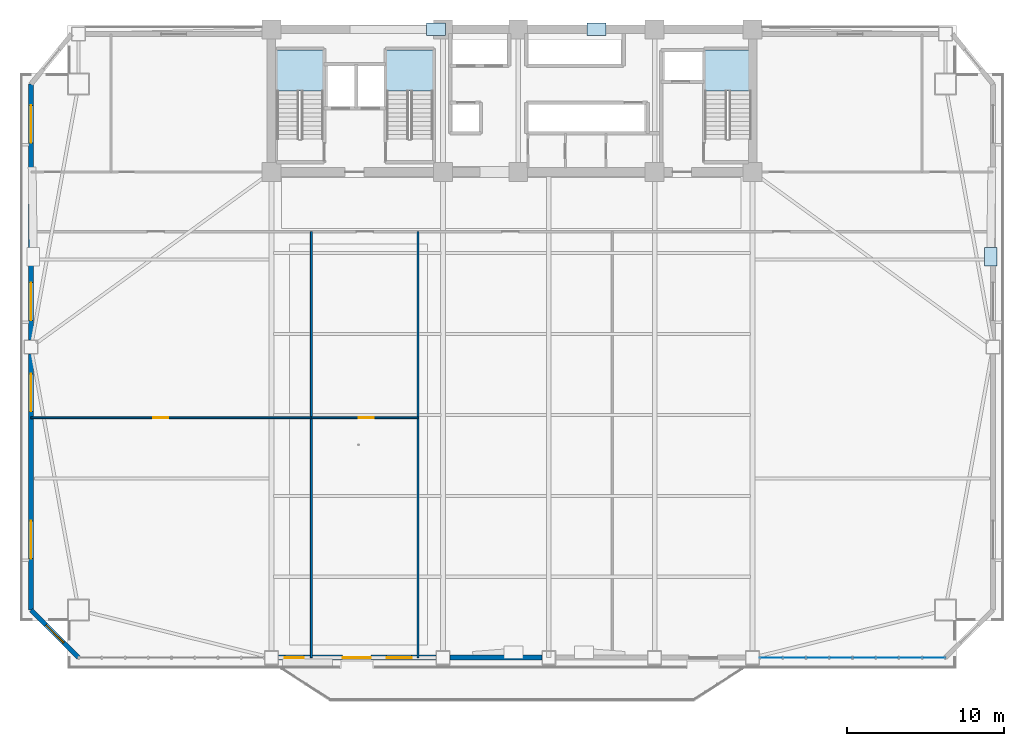
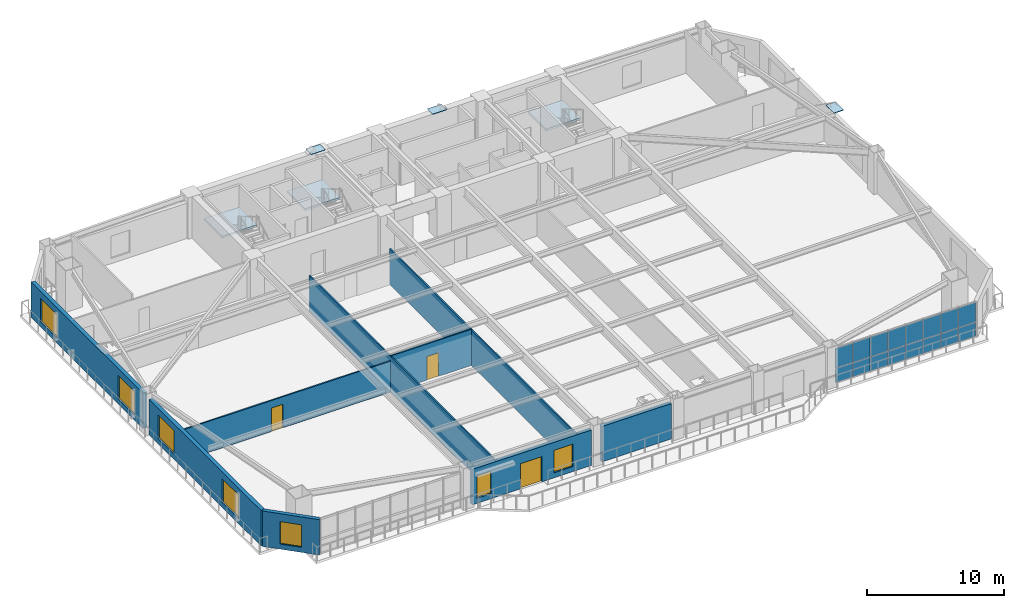
# One storey, part 7 of 15: 19 plates, 9 walls, 7 windows, 3 doors, 3 slabs, 10 openings, 4 elements without a shape of their own.
"""IFC4 building model written with IfcOpenShell, lengths in metres."""

from ifc_helpers import new_model, si_unit, direction, frame, frame_2d, origin, origin_2d, place, context, subcontext, project, spatial, polyline, rectangle, outline, extrude, source, transform, mapped, material, layer, layer_set, type_object, element, fill, aggregate, save


model = new_model("IFC4")

# Units and contexts
model_context = context("Model", 3, precision=1e-05, world=origin(), true_north=direction((0.0, 1.0)))
body_context = subcontext(model_context, "Body", "Model", "MODEL_VIEW")
ifc_project = project(units=[si_unit("LENGTHUNIT", "METRE"), si_unit("AREAUNIT", "SQUARE_METRE"), si_unit("VOLUMEUNIT", "CUBIC_METRE"), si_unit("PLANEANGLEUNIT", "RADIAN"), si_unit("MASSUNIT", "GRAM", prefix="KILO")], contexts=[model_context])

# Site, building, storey
site_placement = place(None, origin())
site = spatial("IfcSite", under=ifc_project, at=site_placement, CompositionType="ELEMENT")
building_placement = place(site_placement, origin())
building = spatial("IfcBuilding", under=site, at=building_placement, Name="Giltprow Tower", CompositionType="ELEMENT")
storey_placement = place(building_placement, frame((0.0, 0.0, 103.60009765625)))
storey = spatial("IfcBuildingStorey", under=building, at=storey_placement, Name="L25", CompositionType="ELEMENT", Elevation=103.60009765625)

# Stair, slab
ifc_material_1 = material(Name="Concrete C40", Category="concrete")
stair_type_1 = type_object("IfcStairType", Name="STR-ST-1", PredefinedType="HALF_TURN_STAIR", material=ifc_material_1)
stair_1_placement = place(storey_placement, origin())
stair_1 = element("IfcStair", 1, at=stair_1_placement, inside=storey, type_object=stair_type_1, Name="L25 Core Exit Stair ST-1", PredefinedType="HALF_TURN_STAIR")
ifc_layer_1 = layer(ifc_material_1, 0.179931640625, Name="Concrete C40")
ifc_layer_set_1 = layer_set([ifc_layer_1], Name="Concrete C40")
slab_type_1 = type_object("IfcSlabType", Name="SLD-ST-1", PredefinedType="LANDING", material=ifc_layer_set_1)
slab_1_placement = place(storey_placement, frame((0.0, 0.0, 1.77001953125)))
slab_1 = element("IfcSlab", 2, at=slab_1_placement, type_object=slab_type_1, Name="ST-1 landing 1", PredefinedType="LANDING", context=body_context, shape_type="SweptSolid", body=[
    extrude(outline(polyline([(23.159912109375, 42.6298828125), (23.159912109375, 45.25), (20.199951171875, 45.25), (20.199951171875, 42.6298828125), (23.159912109375, 42.6298828125)])), origin(), (0.0, 0.0, 1.0), 0.179931640625),
])
aggregate(stair_1, [slab_1])

stair_type_2 = type_object("IfcStairType", Name="STR-ST-2", PredefinedType="HALF_TURN_STAIR", material=ifc_material_1)
stair_2_placement = place(storey_placement, origin())
stair_2 = element("IfcStair", 3, at=stair_2_placement, inside=storey, type_object=stair_type_2, Name="L25 Core Exit Stair ST-2", PredefinedType="HALF_TURN_STAIR")
ifc_layer_2 = layer(ifc_material_1, 0.18798828125, Name="Concrete C40")
ifc_layer_set_2 = layer_set([ifc_layer_2], Name="Concrete C40")
slab_type_2 = type_object("IfcSlabType", Name="SLD-ST-2", PredefinedType="LANDING", material=ifc_layer_set_2)
slab_2_placement = place(storey_placement, frame((0.0, 0.0, 1.761962890625)))
slab_2 = element("IfcSlab", 4, at=slab_2_placement, type_object=slab_type_2, Name="ST-2 landing 1", PredefinedType="LANDING", context=body_context, shape_type="SweptSolid", body=[
    extrude(outline(polyline([(30.159912109375, 42.6298828125), (30.159912109375, 45.25), (27.199951171875, 45.25), (27.199951171875, 42.6298828125), (30.159912109375, 42.6298828125)])), origin(), (0.0, 0.0, 1.0), 0.18798828125),
])
aggregate(stair_2, [slab_2])

stair_type_3 = type_object("IfcStairType", Name="STR-ST-3", PredefinedType="HALF_TURN_STAIR", material=ifc_material_1)
stair_3_placement = place(storey_placement, origin())
stair_3 = element("IfcStair", 5, at=stair_3_placement, inside=storey, type_object=stair_type_3, Name="L25 Core Exit Stair ST-3", PredefinedType="HALF_TURN_STAIR")
ifc_layer_3 = layer(ifc_material_1, 0.196044921875, Name="Concrete C40")
ifc_layer_set_3 = layer_set([ifc_layer_3], Name="Concrete C40")
slab_type_3 = type_object("IfcSlabType", Name="SLD-ST-3", PredefinedType="LANDING", material=ifc_layer_set_3)
slab_3_placement = place(storey_placement, frame((0.0, 0.0, 1.75390625)))
slab_3 = element("IfcSlab", 6, at=slab_3_placement, type_object=slab_type_3, Name="ST-3 landing 1", PredefinedType="LANDING", context=body_context, shape_type="SweptSolid", body=[
    extrude(outline(polyline([(50.4599609375, 42.6298828125), (50.4599609375, 45.25), (47.5, 45.25), (47.5, 42.6298828125), (50.4599609375, 42.6298828125)])), origin(), (0.0, 0.0, 1.0), 0.196044921875),
])
aggregate(stair_3, [slab_3])

# Plates
ifc_material_2 = material(Name="Structural steel Q420GJC", Category="steel")
plate_type_1 = type_object("IfcPlateType", Name="PLT-CAP-SEAL", PredefinedType="USERDEFINED", material=ifc_material_2)
shared_shape_1 = source(origin(), body_context, "Body", "SweptSolid", [
    extrude(rectangle(XDim=1.199951171875, YDim=0.800048828125, at=origin_2d()), origin(), (0.0, 0.0, 1.0), 0.034912109375),
])
for number, where, z_axis, x_axis, name in (
    (7, (30.35009765625, 46.550048828125, 3.74267578125), (0.0, 0.0, 1.0), (1.0, 0.0, 0.0), "Mega-Brace Node L25-N-LB"),
    (8, (40.5830078125, 46.550048828125, 3.74267578125), (0.0, 0.0, 1.0), (1.0, 0.0, 0.0), "Mega-Brace Node L25-N-RB"),
    (9, (65.73388671875, 32.049072265625, 3.88232421875), (0.0, 0.0, 1.0), (0.0, 1.0, 0.0), "Mega-Brace Node L25-E-RB"),
):
    element("IfcPlate", number, at=place(storey_placement, frame(where, z_axis=z_axis, x_axis=x_axis)), inside=storey, type_object=plate_type_1, Name=name, ObjectType="SPLICE", PredefinedType="USERDEFINED", context=body_context, shape_type="MappedRepresentation", body=[
        mapped(shared_shape_1, transform((0.0, 0.0, 0.0), x_axis=(1.0, 0.0, 0.0), y_axis=(0.0, 1.0, 0.0), z_axis=(0.0, 0.0, 1.0), scale=1.0)),
    ])

# Curtain wall, plates
ifc_material_3 = material(Name="Anodized bronze", Category="metal")
ifc_layer_4 = layer(ifc_material_3, 0.179931640625, Name="Anodized bronze")
ifc_layer_set_4 = layer_set([ifc_layer_4], Name="Anodized bronze")
curtain_wall_type = type_object("IfcCurtainWallType", Name="CW-OFF-RECESSED", PredefinedType="NOTDEFINED", material=ifc_layer_set_4)
curtain_wall_placement = place(storey_placement, origin())
curtain_wall = element("IfcCurtainWall", 10, at=curtain_wall_placement, inside=storey, type_object=curtain_wall_type, Name="L25 South Recessed Curtain Wall 6", PredefinedType="NOTDEFINED")
ifc_material_4 = material(Name="Insulated glass", Category="glass")
plate_type_2 = type_object("IfcPlateType", Name="CW-PANEL-IGU-28", PredefinedType="CURTAIN_PANEL", material=ifc_material_4)
shared_shape_2 = source(origin(), body_context, "Body", "SweptSolid", [
    extrude(rectangle(XDim=1.450927734375, YDim=0.028076171875, at=origin_2d()), origin(), (0.0, 0.0, 1.0), 1.259033203125),
])
plate_1_placement = place(storey_placement, frame((51.739990234375, 6.4619140625, 0.05419921875), z_axis=(0.0, 0.0, 1.0), x_axis=(1.0, 0.0, 0.0)))
plate_1 = element("IfcPlate", 11, at=plate_1_placement, type_object=plate_type_2, Name="L25 South Recessed Curtain Wall 6 Glazing Panel 1-1", PredefinedType="CURTAIN_PANEL", context=body_context, shape_type="MappedRepresentation", body=[
    mapped(shared_shape_2, transform((0.0, 0.0, 0.0), x_axis=(1.0, 0.0, 0.0), y_axis=(0.0, 1.0, 0.0), z_axis=(0.0, 0.0, 1.0), scale=1.0)),
])
plate_2_placement = place(storey_placement, frame((53.220947265625, 6.4619140625, 0.05419921875), z_axis=(0.0, 0.0, 1.0), x_axis=(1.0, 0.0, 0.0)))
plate_2 = element("IfcPlate", 12, at=plate_2_placement, type_object=plate_type_2, Name="L25 South Recessed Curtain Wall 6 Glazing Panel 2-1", PredefinedType="CURTAIN_PANEL", context=body_context, shape_type="MappedRepresentation", body=[
    mapped(shared_shape_2, transform((0.0, 0.0, 0.0), x_axis=(1.0, 0.0, 0.0), y_axis=(0.0, 1.0, 0.0), z_axis=(0.0, 0.0, 1.0), scale=1.0)),
])
plate_3_placement = place(storey_placement, frame((54.702880859375, 6.4619140625, 0.05419921875), z_axis=(0.0, 0.0, 1.0), x_axis=(1.0, 0.0, 0.0)))
plate_3 = element("IfcPlate", 13, at=plate_3_placement, type_object=plate_type_2, Name="L25 South Recessed Curtain Wall 6 Glazing Panel 3-1", PredefinedType="CURTAIN_PANEL", context=body_context, shape_type="MappedRepresentation", body=[
    mapped(shared_shape_2, transform((0.0, 0.0, 0.0), x_axis=(1.0, 0.0, 0.0), y_axis=(0.0, 1.0, 0.0), z_axis=(0.0, 0.0, 1.0), scale=1.0)),
])
plate_4_placement = place(storey_placement, frame((56.18408203125, 6.4619140625, 0.05419921875), z_axis=(0.0, 0.0, 1.0), x_axis=(1.0, 0.0, 0.0)))
plate_4 = element("IfcPlate", 14, at=plate_4_placement, type_object=plate_type_2, Name="L25 South Recessed Curtain Wall 6 Glazing Panel 4-1", PredefinedType="CURTAIN_PANEL", context=body_context, shape_type="MappedRepresentation", body=[
    mapped(shared_shape_2, transform((0.0, 0.0, 0.0), x_axis=(1.0, 0.0, 0.0), y_axis=(0.0, 1.0, 0.0), z_axis=(0.0, 0.0, 1.0), scale=1.0)),
])
plate_5_placement = place(storey_placement, frame((57.6640625, 6.4619140625, 0.05419921875), z_axis=(0.0, 0.0, 1.0), x_axis=(1.0, 0.0, 0.0)))
plate_5 = element("IfcPlate", 15, at=plate_5_placement, type_object=plate_type_2, Name="L25 South Recessed Curtain Wall 6 Glazing Panel 5-1", PredefinedType="CURTAIN_PANEL", context=body_context, shape_type="MappedRepresentation", body=[
    mapped(shared_shape_2, transform((0.0, 0.0, 0.0), x_axis=(1.0, 0.0, 0.0), y_axis=(0.0, 1.0, 0.0), z_axis=(0.0, 0.0, 1.0), scale=1.0)),
])
plate_6_placement = place(storey_placement, frame((59.14501953125, 6.4619140625, 0.05419921875), z_axis=(0.0, 0.0, 1.0), x_axis=(1.0, 0.0, 0.0)))
plate_6 = element("IfcPlate", 16, at=plate_6_placement, type_object=plate_type_2, Name="L25 South Recessed Curtain Wall 6 Glazing Panel 6-1", PredefinedType="CURTAIN_PANEL", context=body_context, shape_type="MappedRepresentation", body=[
    mapped(shared_shape_2, transform((0.0, 0.0, 0.0), x_axis=(1.0, 0.0, 0.0), y_axis=(0.0, 1.0, 0.0), z_axis=(0.0, 0.0, 1.0), scale=1.0)),
])
plate_7_placement = place(storey_placement, frame((60.626953125, 6.4619140625, 0.05419921875), z_axis=(0.0, 0.0, 1.0), x_axis=(1.0, 0.0, 0.0)))
plate_7 = element("IfcPlate", 17, at=plate_7_placement, type_object=plate_type_2, Name="L25 South Recessed Curtain Wall 6 Glazing Panel 7-1", PredefinedType="CURTAIN_PANEL", context=body_context, shape_type="MappedRepresentation", body=[
    mapped(shared_shape_2, transform((0.0, 0.0, 0.0), x_axis=(1.0, 0.0, 0.0), y_axis=(0.0, 1.0, 0.0), z_axis=(0.0, 0.0, 1.0), scale=1.0)),
])
plate_8_placement = place(storey_placement, frame((62.10791015625, 6.4619140625, 0.05419921875), z_axis=(0.0, 0.0, 1.0), x_axis=(1.0, 0.0, 0.0)))
plate_8 = element("IfcPlate", 18, at=plate_8_placement, type_object=plate_type_2, Name="L25 South Recessed Curtain Wall 6 Glazing Panel 8-1", PredefinedType="CURTAIN_PANEL", context=body_context, shape_type="MappedRepresentation", body=[
    mapped(shared_shape_2, transform((0.0, 0.0, 0.0), x_axis=(1.0, 0.0, 0.0), y_axis=(0.0, 1.0, 0.0), z_axis=(0.0, 0.0, 1.0), scale=1.0)),
])
shared_shape_3 = source(origin(), body_context, "Body", "SweptSolid", [
    extrude(rectangle(XDim=1.450927734375, YDim=0.028076171875, at=origin_2d()), origin(), (0.0, 0.0, 1.0), 1.764892578125),
])
plate_9_placement = place(storey_placement, frame((51.739990234375, 6.4619140625, 1.34033203125), z_axis=(0.0, 0.0, 1.0), x_axis=(1.0, 0.0, 0.0)))
plate_9 = element("IfcPlate", 19, at=plate_9_placement, type_object=plate_type_2, Name="L25 South Recessed Curtain Wall 6 Glazing Panel 1-2", PredefinedType="CURTAIN_PANEL", context=body_context, shape_type="MappedRepresentation", body=[
    mapped(shared_shape_3, transform((0.0, 0.0, 0.0), x_axis=(1.0, 0.0, 0.0), y_axis=(0.0, 1.0, 0.0), z_axis=(0.0, 0.0, 1.0), scale=1.0)),
])
plate_10_placement = place(storey_placement, frame((53.220947265625, 6.4619140625, 1.34033203125), z_axis=(0.0, 0.0, 1.0), x_axis=(1.0, 0.0, 0.0)))
plate_10 = element("IfcPlate", 20, at=plate_10_placement, type_object=plate_type_2, Name="L25 South Recessed Curtain Wall 6 Glazing Panel 2-2", PredefinedType="CURTAIN_PANEL", context=body_context, shape_type="MappedRepresentation", body=[
    mapped(shared_shape_3, transform((0.0, 0.0, 0.0), x_axis=(1.0, 0.0, 0.0), y_axis=(0.0, 1.0, 0.0), z_axis=(0.0, 0.0, 1.0), scale=1.0)),
])
plate_11_placement = place(storey_placement, frame((54.702880859375, 6.4619140625, 1.34033203125), z_axis=(0.0, 0.0, 1.0), x_axis=(1.0, 0.0, 0.0)))
plate_11 = element("IfcPlate", 21, at=plate_11_placement, type_object=plate_type_2, Name="L25 South Recessed Curtain Wall 6 Glazing Panel 3-2", PredefinedType="CURTAIN_PANEL", context=body_context, shape_type="MappedRepresentation", body=[
    mapped(shared_shape_3, transform((0.0, 0.0, 0.0), x_axis=(1.0, 0.0, 0.0), y_axis=(0.0, 1.0, 0.0), z_axis=(0.0, 0.0, 1.0), scale=1.0)),
])
plate_12_placement = place(storey_placement, frame((56.18408203125, 6.4619140625, 1.34033203125), z_axis=(0.0, 0.0, 1.0), x_axis=(1.0, 0.0, 0.0)))
plate_12 = element("IfcPlate", 22, at=plate_12_placement, type_object=plate_type_2, Name="L25 South Recessed Curtain Wall 6 Glazing Panel 4-2", PredefinedType="CURTAIN_PANEL", context=body_context, shape_type="MappedRepresentation", body=[
    mapped(shared_shape_3, transform((0.0, 0.0, 0.0), x_axis=(1.0, 0.0, 0.0), y_axis=(0.0, 1.0, 0.0), z_axis=(0.0, 0.0, 1.0), scale=1.0)),
])
plate_13_placement = place(storey_placement, frame((57.6640625, 6.4619140625, 1.34033203125), z_axis=(0.0, 0.0, 1.0), x_axis=(1.0, 0.0, 0.0)))
plate_13 = element("IfcPlate", 23, at=plate_13_placement, type_object=plate_type_2, Name="L25 South Recessed Curtain Wall 6 Glazing Panel 5-2", PredefinedType="CURTAIN_PANEL", context=body_context, shape_type="MappedRepresentation", body=[
    mapped(shared_shape_3, transform((0.0, 0.0, 0.0), x_axis=(1.0, 0.0, 0.0), y_axis=(0.0, 1.0, 0.0), z_axis=(0.0, 0.0, 1.0), scale=1.0)),
])
plate_14_placement = place(storey_placement, frame((59.14501953125, 6.4619140625, 1.34033203125), z_axis=(0.0, 0.0, 1.0), x_axis=(1.0, 0.0, 0.0)))
plate_14 = element("IfcPlate", 24, at=plate_14_placement, type_object=plate_type_2, Name="L25 South Recessed Curtain Wall 6 Glazing Panel 6-2", PredefinedType="CURTAIN_PANEL", context=body_context, shape_type="MappedRepresentation", body=[
    mapped(shared_shape_3, transform((0.0, 0.0, 0.0), x_axis=(1.0, 0.0, 0.0), y_axis=(0.0, 1.0, 0.0), z_axis=(0.0, 0.0, 1.0), scale=1.0)),
])
plate_15_placement = place(storey_placement, frame((60.626953125, 6.4619140625, 1.34033203125), z_axis=(0.0, 0.0, 1.0), x_axis=(1.0, 0.0, 0.0)))
plate_15 = element("IfcPlate", 25, at=plate_15_placement, type_object=plate_type_2, Name="L25 South Recessed Curtain Wall 6 Glazing Panel 7-2", PredefinedType="CURTAIN_PANEL", context=body_context, shape_type="MappedRepresentation", body=[
    mapped(shared_shape_3, transform((0.0, 0.0, 0.0), x_axis=(1.0, 0.0, 0.0), y_axis=(0.0, 1.0, 0.0), z_axis=(0.0, 0.0, 1.0), scale=1.0)),
])
plate_16_placement = place(storey_placement, frame((62.10791015625, 6.4619140625, 1.34033203125), z_axis=(0.0, 0.0, 1.0), x_axis=(1.0, 0.0, 0.0)))
plate_16 = element("IfcPlate", 26, at=plate_16_placement, type_object=plate_type_2, Name="L25 South Recessed Curtain Wall 6 Glazing Panel 8-2", PredefinedType="CURTAIN_PANEL", context=body_context, shape_type="MappedRepresentation", body=[
    mapped(shared_shape_3, transform((0.0, 0.0, 0.0), x_axis=(1.0, 0.0, 0.0), y_axis=(0.0, 1.0, 0.0), z_axis=(0.0, 0.0, 1.0), scale=1.0)),
])
aggregate(curtain_wall, [plate_1, plate_9, plate_2, plate_10, plate_3, plate_11, plate_4, plate_12, plate_5, plate_13, plate_6, plate_14, plate_7, plate_15, plate_8, plate_16])

# Wall, opening, window
ifc_material_5 = material(Name="Precast concrete C40", Category="concrete")
ifc_layer_5 = layer(ifc_material_5, 0.300048828125, Name="Precast concrete C40")
ifc_layer_set_5 = layer_set([ifc_layer_5], Name="Precast concrete C40")
wall_type_1 = type_object("IfcWallType", Name="EW-NOTCH-CHAMFER-300", PredefinedType="SOLIDWALL", material=ifc_layer_set_5)
wall_1_placement = place(storey_placement, frame((4.510009765625, 9.5048828125, 0.0), z_axis=(0.0, 0.0, 1.0), x_axis=(0.707106781187, -0.707106781187, 0.0)))
wall_1 = element("IfcWall", 27, at=wall_1_placement, inside=storey, type_object=wall_type_1, Name="L25 Corner Notch Wall SW", PredefinedType="SOLIDWALL", context=body_context, shape_type="SweptSolid", body=[
    extrude(rectangle(XDim=4.303466796875, YDim=0.300048828125, at=frame_2d((2.15185546875, 0.0))), origin(), (0.0, 0.0, 1.0), 3.159912109375),
])
opening_1_placement = place(wall_1_placement, frame((1.35205078125, 0.0, 0.449951171875)))
opening_1 = element("IfcOpeningElement", 28, at=opening_1_placement, cuts=wall_1, Name="Opening WN17", PredefinedType="OPENING", context=body_context, shape_type="SweptSolid", body=[
    extrude(rectangle(XDim=1.60009765625, YDim=2.0, at=frame_2d((0.800048828125, 1.0))), frame((0.0, 0.159912109375, 0.0), z_axis=(0.0, -1.0, 0.0), x_axis=(1.0, 0.0, 0.0)), (0.0, 0.0, 1.0), 0.320068359375),
])
window_type_1 = type_object("IfcWindowType", Name="WN-COR-1600x2000", PartitioningType="SINGLE_PANEL", PredefinedType="WINDOW", material=ifc_material_4)
shared_shape_4 = source(origin(), body_context, "Body", "SweptSolid", [
    extrude(rectangle(XDim=1.60009765625, YDim=2.0, at=frame_2d((0.800048828125, 1.0))), frame((0.0, 0.030029296875, 0.0), z_axis=(0.0, -1.0, 0.0), x_axis=(1.0, 0.0, 0.0)), (0.0, 0.0, 1.0), 0.06005859375),
])
window_1_placement = place(opening_1_placement, origin())
window_1 = element("IfcWindow", 29, at=window_1_placement, inside=storey, type_object=window_type_1, Name="L25 Corner Notch Window SW", OverallHeight=2.0, OverallWidth=1.60009765625, PartitioningType="SINGLE_PANEL", PredefinedType="WINDOW", context=body_context, shape_type="MappedRepresentation", body=[
    mapped(shared_shape_4, transform((0.0, 0.0, 0.0), x_axis=(1.0, 0.0, 0.0), y_axis=(0.0, 1.0, 0.0), z_axis=(0.0, 0.0, 1.0), scale=1.0)),
])
fill(opening_1, window_1)

# Wall, openings, windows, door
ifc_layer_6 = layer(ifc_material_5, 0.320068359375, Name="Precast concrete C40")
ifc_layer_set_6 = layer_set([ifc_layer_6], Name="Precast concrete C40")
wall_type_2 = type_object("IfcWallType", Name="EW-TOW-STONE-320", PredefinedType="SOLIDWALL", material=ifc_layer_set_6)
wall_2_placement = place(storey_placement, frame((20.300048828125, 6.4619140625, 0.0), z_axis=(0.0, 0.0, 1.0), x_axis=(1.0, 0.0, 0.0)))
wall_2 = element("IfcWall", 30, at=wall_2_placement, inside=storey, type_object=wall_type_2, Name="L25 South Expressed Frame Wall 2", PredefinedType="SOLIDWALL", context=body_context, shape_type="SweptSolid", body=[
    extrude(rectangle(XDim=10.050048828125, YDim=0.320068359375, at=frame_2d((5.02490234375, 0.0))), origin(), (0.0, 0.0, 1.0), 3.159912109375),
])
opening_2_placement = place(wall_2_placement, frame((4.10009765625, 0.0, 0.0)))
opening_2 = element("IfcOpeningElement", 31, at=opening_2_placement, cuts=wall_2, Name="Opening ED25", PredefinedType="OPENING", context=body_context, shape_type="SweptSolid", body=[
    extrude(rectangle(XDim=1.800048828125, YDim=2.25, at=frame_2d((0.89990234375, 1.125))), frame((0.0, 0.169921875, 0.0), z_axis=(0.0, -1.0, 0.0), x_axis=(1.0, 0.0, 0.0)), (0.0, 0.0, 1.0), 0.340087890625),
])
opening_3_placement = place(wall_2_placement, frame((0.4150390625, 0.0, 0.449951171875)))
opening_3 = element("IfcOpeningElement", 32, at=opening_3_placement, cuts=wall_2, Name="Opening WN11", PredefinedType="OPENING", context=body_context, shape_type="SweptSolid", body=[
    extrude(rectangle(XDim=1.199951171875, YDim=2.0, at=frame_2d((0.60009765625, 1.0))), frame((0.0, 0.169921875, 0.0), z_axis=(0.0, -1.0, 0.0), x_axis=(1.0, 0.0, 0.0)), (0.0, 0.0, 1.0), 0.340087890625),
])
opening_4_placement = place(wall_2_placement, frame((6.89990234375, 0.0, 0.449951171875)))
opening_4 = element("IfcOpeningElement", 33, at=opening_4_placement, cuts=wall_2, Name="Opening WN17", PredefinedType="OPENING", context=body_context, shape_type="SweptSolid", body=[
    extrude(rectangle(XDim=1.60009765625, YDim=2.0, at=frame_2d((0.800048828125, 1.0))), frame((0.0, 0.169921875, 0.0), z_axis=(0.0, -1.0, 0.0), x_axis=(1.0, 0.0, 0.0)), (0.0, 0.0, 1.0), 0.340087890625),
])
window_2_placement = place(opening_4_placement, origin())
window_2 = element("IfcWindow", 34, at=window_2_placement, inside=storey, type_object=window_type_1, Name="L25 South Window 2B", OverallHeight=2.0, OverallWidth=1.60009765625, PartitioningType="SINGLE_PANEL", PredefinedType="WINDOW", context=body_context, shape_type="MappedRepresentation", body=[
    mapped(shared_shape_4, transform((0.0, 0.0, 0.0), x_axis=(1.0, 0.0, 0.0), y_axis=(0.0, 1.0, 0.0), z_axis=(0.0, 0.0, 1.0), scale=1.0)),
])
fill(opening_4, window_2)
ifc_material_6 = material(Name="Anodized bronze and glass", Category="glass")
door_type_1 = type_object("IfcDoorType", Name="DR-BALC-SLIDE-1800", OperationType="SLIDING_TO_LEFT", PredefinedType="DOOR", material=ifc_material_6)
shared_shape_5 = source(origin(), body_context, "Body", "SweptSolid", [
    extrude(rectangle(XDim=1.800048828125, YDim=2.25, at=frame_2d((0.89990234375, 1.125))), frame((0.0, 0.02490234375, 0.0), z_axis=(0.0, -1.0, 0.0), x_axis=(1.0, 0.0, 0.0)), (0.0, 0.0, 1.0), 0.050048828125),
])
door_1_placement = place(opening_2_placement, origin())
door_1 = element("IfcDoor", 35, at=door_1_placement, inside=storey, type_object=door_type_1, Name="L25 Waterfront Balcony Sliding Door 1", OperationType="SLIDING_TO_LEFT", OverallHeight=2.25, OverallWidth=1.800048828125, PredefinedType="DOOR", context=body_context, shape_type="MappedRepresentation", body=[
    mapped(shared_shape_5, transform((0.0, 0.0, 0.0), x_axis=(1.0, 0.0, 0.0), y_axis=(0.0, 1.0, 0.0), z_axis=(0.0, 0.0, 1.0), scale=1.0)),
])
fill(opening_2, door_1)
window_type_2 = type_object("IfcWindowType", Name="WN-LANCET-1200x2000", PartitioningType="SINGLE_PANEL", PredefinedType="WINDOW", material=ifc_material_4)
shared_shape_6 = source(origin(), body_context, "Body", "SweptSolid", [
    extrude(rectangle(XDim=1.199951171875, YDim=2.0, at=frame_2d((0.60009765625, 1.0))), frame((0.0, 0.030029296875, 0.0), z_axis=(0.0, -1.0, 0.0), x_axis=(1.0, 0.0, 0.0)), (0.0, 0.0, 1.0), 0.06005859375),
])
window_3_placement = place(opening_3_placement, origin())
window_3 = element("IfcWindow", 36, at=window_3_placement, inside=storey, type_object=window_type_2, Name="L25 South Window 2A", OverallHeight=2.0, OverallWidth=1.199951171875, PartitioningType="SINGLE_PANEL", PredefinedType="WINDOW", context=body_context, shape_type="MappedRepresentation", body=[
    mapped(shared_shape_6, transform((0.0, 0.0, 0.0), x_axis=(1.0, 0.0, 0.0), y_axis=(0.0, 1.0, 0.0), z_axis=(0.0, 0.0, 1.0), scale=1.0)),
])
fill(opening_3, window_3)

# Wall
wall_3_placement = place(storey_placement, frame((31.25, 6.4619140625, 0.0), z_axis=(0.0, 0.0, 1.0), x_axis=(1.0, 0.0, 0.0)))
element("IfcWall", 37, at=wall_3_placement, inside=storey, type_object=wall_type_2, Name="L25 South Expressed Frame Wall 3", PredefinedType="SOLIDWALL", context=body_context, shape_type="SweptSolid", body=[
    extrude(rectangle(XDim=5.85009765625, YDim=0.320068359375, at=frame_2d((2.925048828125, 0.0))), origin(), (0.0, 0.0, 1.0), 3.159912109375),
])

# Wall, openings, windows
wall_4_placement = place(storey_placement, frame((4.510009765625, 9.5048828125, 0.0), z_axis=(0.0, 0.0, 1.0), x_axis=(0.0, 1.0, 0.0)))
wall_4 = element("IfcWall", 38, at=wall_4_placement, inside=storey, type_object=wall_type_2, Name="L25 W Wing Masonry Wall 1", PredefinedType="SOLIDWALL", context=body_context, shape_type="SweptSolid", body=[
    extrude(rectangle(XDim=16.3251953125, YDim=0.320068359375, at=frame_2d((8.16259765625, 0.0))), origin(), (0.0, 0.0, 1.0), 3.159912109375),
])
opening_5_placement = place(wall_4_placement, frame((3.284912109375, 0.0, 0.449951171875)))
opening_5 = element("IfcOpeningElement", 39, at=opening_5_placement, cuts=wall_4, Name="Opening WN29", PredefinedType="OPENING", context=body_context, shape_type="SweptSolid", body=[
    extrude(rectangle(XDim=2.39990234375, YDim=2.10009765625, at=frame_2d((1.199951171875, 1.050048828125))), frame((0.0, 0.169921875, 0.0), z_axis=(0.0, -1.0, 0.0), x_axis=(1.0, 0.0, 0.0)), (0.0, 0.0, 1.0), 0.340087890625),
])
opening_6_placement = place(wall_4_placement, frame((12.669921875, 0.0, 0.449951171875)))
opening_6 = element("IfcOpeningElement", 40, at=opening_6_placement, cuts=wall_4, Name="Opening WN29", PredefinedType="OPENING", context=body_context, shape_type="SweptSolid", body=[
    extrude(rectangle(XDim=2.39990234375, YDim=2.10009765625, at=frame_2d((1.199951171875, 1.050048828125))), frame((0.0, 0.169921875, 0.0), z_axis=(0.0, -1.0, 0.0), x_axis=(1.0, 0.0, 0.0)), (0.0, 0.0, 1.0), 0.340087890625),
])
window_type_3 = type_object("IfcWindowType", Name="WN-OFF-2400x2100", PartitioningType="DOUBLE_PANEL_VERTICAL", PredefinedType="WINDOW", material=ifc_material_4)
shared_shape_7 = source(origin(), body_context, "Body", "SweptSolid", [
    extrude(rectangle(XDim=2.39990234375, YDim=2.10009765625, at=frame_2d((1.199951171875, 1.050048828125))), frame((0.0, 0.030029296875, 0.0), z_axis=(0.0, -1.0, 0.0), x_axis=(1.0, 0.0, 0.0)), (0.0, 0.0, 1.0), 0.06005859375),
])
window_4_placement = place(opening_5_placement, origin())
window_4 = element("IfcWindow", 41, at=window_4_placement, inside=storey, type_object=window_type_3, Name="L25 W Wing Window 1-1A", OverallHeight=2.10009765625, OverallWidth=2.39990234375, PartitioningType="SINGLE_PANEL", PredefinedType="WINDOW", context=body_context, shape_type="MappedRepresentation", body=[
    mapped(shared_shape_7, transform((0.0, 0.0, 0.0), x_axis=(1.0, 0.0, 0.0), y_axis=(0.0, 1.0, 0.0), z_axis=(0.0, 0.0, 1.0), scale=1.0)),
])
fill(opening_5, window_4)
window_5_placement = place(opening_6_placement, origin())
window_5 = element("IfcWindow", 42, at=window_5_placement, inside=storey, type_object=window_type_3, Name="L25 W Wing Window 1-1B", OverallHeight=2.10009765625, OverallWidth=2.39990234375, PartitioningType="SINGLE_PANEL", PredefinedType="WINDOW", context=body_context, shape_type="MappedRepresentation", body=[
    mapped(shared_shape_7, transform((0.0, 0.0, 0.0), x_axis=(1.0, 0.0, 0.0), y_axis=(0.0, 1.0, 0.0), z_axis=(0.0, 0.0, 1.0), scale=1.0)),
])
fill(opening_6, window_5)

wall_5_placement = place(storey_placement, frame((4.510009765625, 26.72998046875, 0.0), z_axis=(0.0, 0.0, 1.0), x_axis=(0.0, 1.0, 0.0)))
wall_5 = element("IfcWall", 43, at=wall_5_placement, inside=storey, type_object=wall_type_2, Name="L25 W Wing Masonry Wall 2", PredefinedType="SOLIDWALL", context=body_context, shape_type="SweptSolid", body=[
    extrude(rectangle(XDim=16.325927734375, YDim=0.320068359375, at=frame_2d((8.1630859375, 0.0))), origin(), (0.0, 0.0, 1.0), 3.159912109375),
])
opening_7_placement = place(wall_5_placement, frame((1.260009765625, 0.0, 0.449951171875)))
opening_7 = element("IfcOpeningElement", 44, at=opening_7_placement, cuts=wall_5, Name="Opening WN29", PredefinedType="OPENING", context=body_context, shape_type="SweptSolid", body=[
    extrude(rectangle(XDim=2.39990234375, YDim=2.10009765625, at=frame_2d((1.199951171875, 1.050048828125))), frame((0.0, 0.169921875, 0.0), z_axis=(0.0, -1.0, 0.0), x_axis=(1.0, 0.0, 0.0)), (0.0, 0.0, 1.0), 0.340087890625),
])
opening_8_placement = place(wall_5_placement, frame((12.573974609375, 0.0, 0.449951171875)))
opening_8 = element("IfcOpeningElement", 45, at=opening_8_placement, cuts=wall_5, Name="Opening WN29", PredefinedType="OPENING", context=body_context, shape_type="SweptSolid", body=[
    extrude(rectangle(XDim=2.39990234375, YDim=2.10009765625, at=frame_2d((1.199951171875, 1.050048828125))), frame((0.0, 0.169921875, 0.0), z_axis=(0.0, -1.0, 0.0), x_axis=(1.0, 0.0, 0.0)), (0.0, 0.0, 1.0), 0.340087890625),
])
window_6_placement = place(opening_7_placement, origin())
window_6 = element("IfcWindow", 46, at=window_6_placement, inside=storey, type_object=window_type_3, Name="L25 W Wing Window 2-1", OverallHeight=2.10009765625, OverallWidth=2.39990234375, PartitioningType="SINGLE_PANEL", PredefinedType="WINDOW", context=body_context, shape_type="MappedRepresentation", body=[
    mapped(shared_shape_7, transform((0.0, 0.0, 0.0), x_axis=(1.0, 0.0, 0.0), y_axis=(0.0, 1.0, 0.0), z_axis=(0.0, 0.0, 1.0), scale=1.0)),
])
fill(opening_7, window_6)
window_7_placement = place(opening_8_placement, origin())
window_7 = element("IfcWindow", 47, at=window_7_placement, inside=storey, type_object=window_type_3, Name="L25 W Wing Window 2-2", OverallHeight=2.10009765625, OverallWidth=2.39990234375, PartitioningType="SINGLE_PANEL", PredefinedType="WINDOW", context=body_context, shape_type="MappedRepresentation", body=[
    mapped(shared_shape_7, transform((0.0, 0.0, 0.0), x_axis=(1.0, 0.0, 0.0), y_axis=(0.0, 1.0, 0.0), z_axis=(0.0, 0.0, 1.0), scale=1.0)),
])
fill(opening_8, window_7)

# Wall, opening, door
ifc_material_7 = material(Name="Gypsum stud partition", Category="gypsum")
ifc_layer_7 = layer(ifc_material_7, 0.1201171875, Name="Gypsum stud partition")
ifc_layer_set_7 = layer_set([ifc_layer_7], Name="Gypsum stud partition")
wall_type_3 = type_object("IfcWallType", Name="IW-ROOM-120", PredefinedType="PARTITIONING", material=ifc_layer_set_7)
wall_6_placement = place(storey_placement, frame((4.510009765625, 21.77490234375, 0.0), z_axis=(0.0, 0.0, 1.0), x_axis=(1.0, 0.0, 0.0)))
wall_6 = element("IfcWall", 48, at=wall_6_placement, inside=storey, type_object=wall_type_3, Name="L25 Office Mid Wall 1", PredefinedType="PARTITIONING", context=body_context, shape_type="SweptSolid", body=[
    extrude(rectangle(XDim=17.889892578125, YDim=0.1201171875, at=frame_2d((8.94482421875, 0.0))), origin(), (0.0, 0.0, 1.0), 2.764892578125),
])
opening_9_placement = place(wall_6_placement, frame((7.79296875, 0.0, 0.0)))
opening_9 = element("IfcOpeningElement", 49, at=opening_9_placement, cuts=wall_6, Name="Opening ID11", PredefinedType="OPENING", context=body_context, shape_type="SweptSolid", body=[
    extrude(rectangle(XDim=0.949951171875, YDim=2.10009765625, at=frame_2d((0.47509765625, 1.050048828125))), frame((0.0, 0.070068359375, 0.0), z_axis=(0.0, -1.0, 0.0), x_axis=(1.0, 0.0, 0.0)), (0.0, 0.0, 1.0), 0.14013671875),
])
ifc_material_8 = material(Name="Engineered timber", Category="wood")
door_type_2 = type_object("IfcDoorType", Name="DR-ROOM-950", OperationType="SINGLE_SWING_RIGHT", PredefinedType="DOOR", material=ifc_material_8)
shared_shape_8 = source(origin(), body_context, "Body", "SweptSolid", [
    extrude(rectangle(XDim=0.949951171875, YDim=2.10009765625, at=frame_2d((0.47509765625, 1.050048828125))), frame((0.0, 0.02490234375, 0.0), z_axis=(0.0, -1.0, 0.0), x_axis=(1.0, 0.0, 0.0)), (0.0, 0.0, 1.0), 0.050048828125),
])
door_2_placement = place(opening_9_placement, origin())
door_2 = element("IfcDoor", 50, at=door_2_placement, inside=storey, type_object=door_type_2, Name="L25 Harbour Reading Lounge 1 Inner Door", OperationType="SINGLE_SWING_LEFT", OverallHeight=2.10009765625, OverallWidth=0.949951171875, PredefinedType="DOOR", context=body_context, shape_type="MappedRepresentation", body=[
    mapped(shared_shape_8, transform((0.0, 0.0, 0.0), x_axis=(1.0, 0.0, 0.0), y_axis=(0.0, 1.0, 0.0), z_axis=(0.0, 0.0, 1.0), scale=1.0)),
])
fill(opening_9, door_2)

# Wall
wall_7_placement = place(storey_placement, frame((22.39990234375, 6.4619140625, 0.0), z_axis=(0.0, 0.0, 1.0), x_axis=(0.0, 1.0, 0.0)))
element("IfcWall", 51, at=wall_7_placement, inside=storey, type_object=wall_type_3, Name="L25 Office Partition 1", PredefinedType="PARTITIONING", context=body_context, shape_type="SweptSolid", body=[
    extrude(rectangle(XDim=27.18798828125, YDim=0.1201171875, at=frame_2d((13.593994140625, 0.0))), origin(), (0.0, 0.0, 1.0), 3.164794921875),
])

# Wall, opening, door
wall_8_placement = place(storey_placement, frame((22.39990234375, 21.77490234375, 0.0), z_axis=(0.0, 0.0, 1.0), x_axis=(1.0, 0.0, 0.0)))
wall_8 = element("IfcWall", 52, at=wall_8_placement, inside=storey, type_object=wall_type_3, Name="L25 Office Mid Wall 2", PredefinedType="PARTITIONING", context=body_context, shape_type="SweptSolid", body=[
    extrude(rectangle(XDim=6.800048828125, YDim=0.1201171875, at=frame_2d((3.39990234375, 0.0))), origin(), (0.0, 0.0, 1.0), 3.21484375),
])
opening_10_placement = place(wall_8_placement, frame((3.01904296875, 0.0, 0.0)))
opening_10 = element("IfcOpeningElement", 53, at=opening_10_placement, cuts=wall_8, Name="Opening ID11", PredefinedType="OPENING", context=body_context, shape_type="SweptSolid", body=[
    extrude(rectangle(XDim=0.949951171875, YDim=2.10009765625, at=frame_2d((0.47509765625, 1.050048828125))), frame((0.0, 0.070068359375, 0.0), z_axis=(0.0, -1.0, 0.0), x_axis=(1.0, 0.0, 0.0)), (0.0, 0.0, 1.0), 0.14013671875),
])
door_3_placement = place(opening_10_placement, origin())
door_3 = element("IfcDoor", 54, at=door_3_placement, inside=storey, type_object=door_type_2, Name="L25 Members Club Lounge 2 Inner Door", OperationType="SINGLE_SWING_LEFT", OverallHeight=2.10009765625, OverallWidth=0.949951171875, PredefinedType="DOOR", context=body_context, shape_type="MappedRepresentation", body=[
    mapped(shared_shape_8, transform((0.0, 0.0, 0.0), x_axis=(1.0, 0.0, 0.0), y_axis=(0.0, 1.0, 0.0), z_axis=(0.0, 0.0, 1.0), scale=1.0)),
])
fill(opening_10, door_3)

# Wall
wall_9_placement = place(storey_placement, frame((29.199951171875, 6.4619140625, 0.0), z_axis=(0.0, 0.0, 1.0), x_axis=(0.0, 1.0, 0.0)))
element("IfcWall", 55, at=wall_9_placement, inside=storey, type_object=wall_type_3, Name="L25 Office Partition 2", PredefinedType="PARTITIONING", context=body_context, shape_type="SweptSolid", body=[
    extrude(rectangle(XDim=27.18798828125, YDim=0.1201171875, at=frame_2d((13.593994140625, 0.0))), origin(), (0.0, 0.0, 1.0), 3.164794921875),
])

save(model, "model.ifc")
